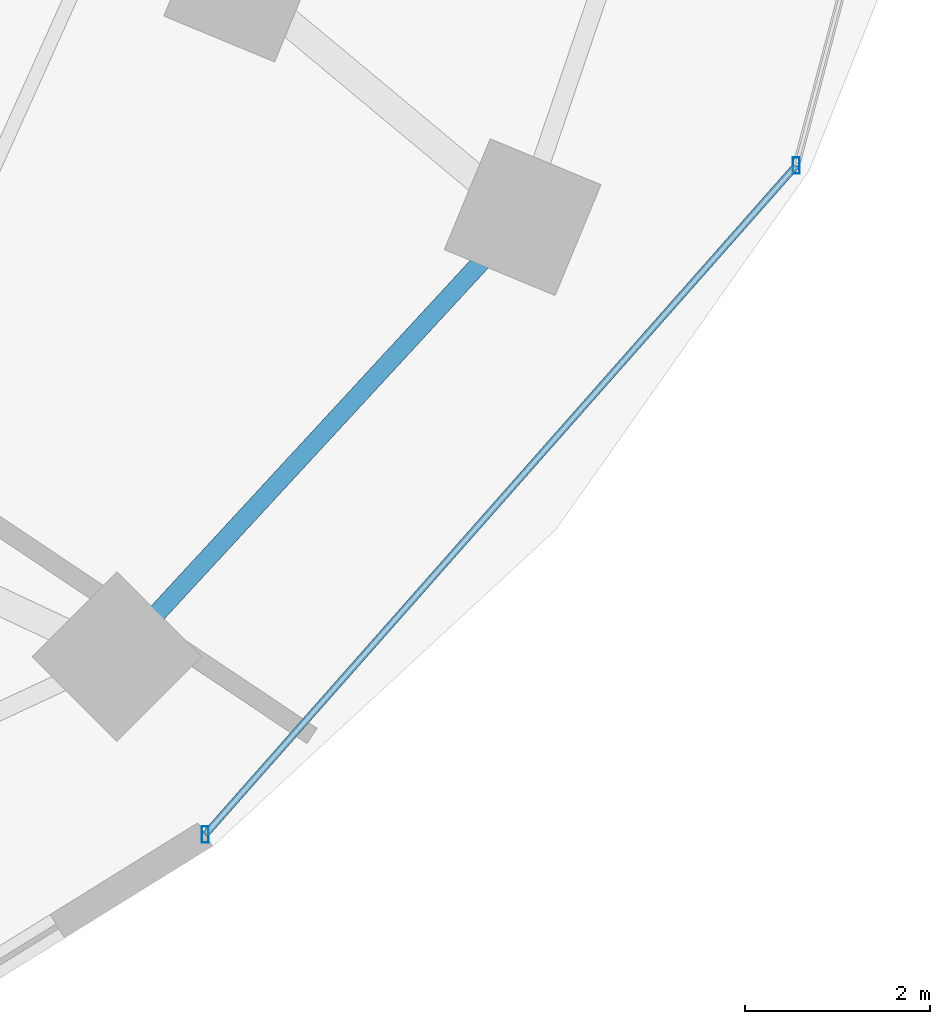
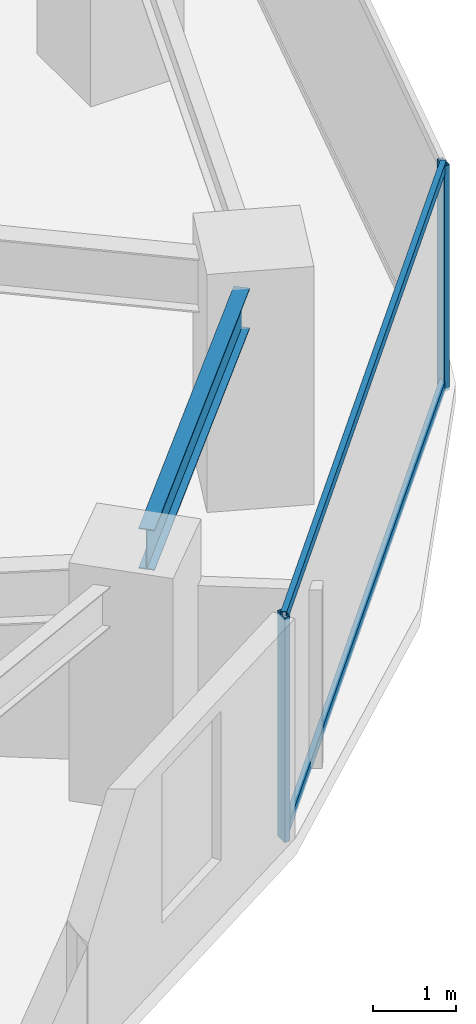
# One storey, part 13 of 33: 4 members, 1 beam, 1 element without a shape of its own.
"""IFC4 building model written with IfcOpenShell, lengths in metres."""

import ifcopenshell
import ifcopenshell.guid

model = None  # the IFC model being written
_history = None  # IfcOwnerHistory: only IFC2X3 demands one
_inside = {}  # id of a spatial element -> (the spatial element, [elements in it])
_under = {}  # id of a project, library or spatial element -> (it, [spatial elements below it])
_declared = {}  # id of a project -> (the project, [libraries it declares])
_typed = {}  # id of a type object -> (the type object, [elements of that type])
_made_of = {}  # id of a material, layer set ... -> (it, [elements and type objects made of it])


def new_model(schema):
    """Start an empty IFC model of exactly this schema.

    Asked for "IFC4X3", IfcOpenShell would pick the latest addendum, in which some entities
    have other attributes; the version numbers below select the first issue.
    IFC2X3 requires an IfcOwnerHistory on every rooted entity: one is made here for all.
    """
    global model, _history
    if schema == "IFC4X3":
        model = ifcopenshell.file(schema_version=(4, 3, 0, 0))
    else:
        model = ifcopenshell.file(schema=schema)
    _inside.clear()
    _under.clear()
    _declared.clear()
    _typed.clear()
    _made_of.clear()
    _history = None
    if model.schema == "IFC2X3":
        org = make("IfcOrganization", Name="unknown")
        user = make(
            "IfcPersonAndOrganization",
            ThePerson=make("IfcPerson", FamilyName="unknown"),
            TheOrganization=org,
        )
        app = make(
            "IfcApplication",
            ApplicationDeveloper=org,
            Version="unknown",
            ApplicationFullName="unknown",
            ApplicationIdentifier="unknown",
        )
        _history = make(
            "IfcOwnerHistory",
            OwningUser=user,
            OwningApplication=app,
            ChangeAction="ADDED",
            CreationDate=0,
        )
    return model


def make(cls, **values):
    """One entity of the class cls with the attributes given. An attribute that is None is left unset."""
    return model.create_entity(
        cls, **{name: value for name, value in values.items() if value is not None}
    )


def rooted(cls, **values):
    """An entity with a GlobalId (a new one), such as an element, a storey or a relation."""
    return make(cls, GlobalId=ifcopenshell.guid.new(), OwnerHistory=_history, **values)


def si_unit(unit_type, name, prefix=None):
    """IfcSIUnit, for example si_unit("LENGTHUNIT", "METRE", prefix="MILLI")."""
    return make("IfcSIUnit", UnitType=unit_type, Prefix=prefix, Name=name)


def assignment(units):
    """IfcUnitAssignment: the units of a project."""
    return None if units is None else make("IfcUnitAssignment", Units=units)


def point(xyz):
    """IfcCartesianPoint."""
    return None if xyz is None else make("IfcCartesianPoint", Coordinates=xyz)


def direction(xyz):
    """IfcDirection."""
    return None if xyz is None else make("IfcDirection", DirectionRatios=xyz)


def frame(location, z_axis=None, x_axis=None):
    """IfcAxis2Placement3D, a coordinate frame: its origin and axes. An axis left out is left unset."""
    return make(
        "IfcAxis2Placement3D",
        Location=point(location),
        Axis=direction(z_axis),
        RefDirection=direction(x_axis),
    )


def frame_2d(location, x_axis=None):
    """IfcAxis2Placement2D, a coordinate frame in the plane: its origin and x axis."""
    return make(
        "IfcAxis2Placement2D", Location=point(location), RefDirection=direction(x_axis)
    )


def origin():
    """The frame at (0, 0, 0) with its axes left unset."""
    return frame((0.0, 0.0, 0.0))


def origin_2d():
    """The frame at (0, 0) in the plane with its x axis left unset."""
    return frame_2d((0.0, 0.0))


def place(relative_to, where):
    """IfcLocalPlacement: puts the frame where relative to a parent placement (None: the world)."""
    return make(
        "IfcLocalPlacement", PlacementRelTo=relative_to, RelativePlacement=where
    )


def context(
    kind, dimensions, precision=None, world=None, true_north=None, identifier=None
):
    """IfcGeometricRepresentationContext, for example the 3D "Model" context."""
    return make(
        "IfcGeometricRepresentationContext",
        ContextIdentifier=identifier,
        ContextType=kind,
        CoordinateSpaceDimension=dimensions,
        Precision=precision,
        WorldCoordinateSystem=world,
        TrueNorth=true_north,
    )


def subcontext(parent, identifier, kind, view, scale=None):
    """IfcGeometricRepresentationSubContext, for example "Body" below "Model"."""
    return make(
        "IfcGeometricRepresentationSubContext",
        ContextIdentifier=identifier,
        ContextType=kind,
        ParentContext=parent,
        TargetScale=scale,
        TargetView=view,
    )


def project(units=None, contexts=None):
    """IfcProject with its units and contexts."""
    return rooted(
        "IfcProject",
        Name="project",
        RepresentationContexts=contexts,
        UnitsInContext=assignment(units),
    )


def spatial(cls, under=None, at=None, **own):
    """A site, building, storey or space (cls), placed at a placement, below another one or the project."""
    s = rooted(cls, ObjectPlacement=at, **own)
    if under is not None:
        _under.setdefault(under.id(), (under, []))[1].append(s)
    return s


def profile(cls, at=None, kind="AREA", **sizes):
    """A parametric profile (cls). Its sizes go by their IFC names, for example OverallWidth=200.0."""
    return make(cls, ProfileType=kind, Position=at, **sizes)


def hollow_rectangle(**sizes):
    """IfcRectangleHollowProfileDef."""
    return profile("IfcRectangleHollowProfileDef", **sizes)


def i_section(**sizes):
    """IfcIShapeProfileDef."""
    return profile("IfcIShapeProfileDef", **sizes)


def extrude(swept, where, along, depth):
    """IfcExtrudedAreaSolid: the profile swept, set in the frame where, extruded along a direction by depth."""
    return make(
        "IfcExtrudedAreaSolid",
        SweptArea=swept,
        Position=where,
        ExtrudedDirection=direction(along),
        Depth=depth,
    )


def shape(context_of_items, identifier, shape_type, items):
    """IfcShapeRepresentation: the items that make up one representation, for example the "Body"."""
    return make(
        "IfcShapeRepresentation",
        ContextOfItems=context_of_items,
        RepresentationIdentifier=identifier,
        RepresentationType=shape_type,
        Items=items,
    )


def material(Name=None, Category=None):
    """IfcMaterial."""
    return make("IfcMaterial", Name=Name, Category=Category)


def material_profile(
    of_material, cross_section, Name=None, Category=None, Priority=None
):
    """IfcMaterialProfile: a cross section and its material."""
    return make(
        "IfcMaterialProfile",
        Name=Name,
        Material=of_material,
        Profile=cross_section,
        Priority=Priority,
        Category=Category,
    )


def profile_set(profiles, Name=None, composite=None):
    """IfcMaterialProfileSet."""
    return make(
        "IfcMaterialProfileSet",
        Name=Name,
        MaterialProfiles=profiles,
        CompositeProfile=composite,
    )


def made_of(thing, what):
    """Note that an element or type object is made of a material, layer set ...; save() writes the relation."""
    if what is not None:
        _made_of.setdefault(what.id(), (what, []))[1].append(thing)
    return thing


def type_object(cls, material=None, **own):
    """A type object (cls), such as IfcWallType, which elements share."""
    return made_of(rooted(cls, **own), material)


def element(
    cls,
    number,
    at=None,
    inside=None,
    cuts=None,
    type_object=None,
    material=None,
    context=None,
    identifier="Body",
    shape_type=None,
    held_by="IfcProductDefinitionShape",
    body=None,
    shapes=None,
    **own,
):
    """One element of the class cls, such as IfcWall. Its Tag is "e" and its number.

    at: its placement. inside: the storey or other place that contains it. cuts: it is an
    opening in that element (IfcRelVoidsElement). A single representation is given by context,
    identifier, shape_type and body (its items); several are given by shapes. held_by: the class
    of the entity that holds the representations. save() writes the other relations.
    """
    e = rooted(cls, Tag="e%d" % number, ObjectPlacement=at, **own)
    if body is not None:
        shapes = [shape(context, identifier, shape_type, body)]
    if shapes is not None:
        e.Representation = make(held_by, Representations=shapes)
    if inside is not None:
        _inside.setdefault(inside.id(), (inside, []))[1].append(e)
    if cuts is not None:
        rooted(
            "IfcRelVoidsElement", RelatingBuildingElement=cuts, RelatedOpeningElement=e
        )
    if type_object is not None:
        _typed.setdefault(type_object.id(), (type_object, []))[1].append(e)
    return made_of(e, material)


def aggregate(whole, parts):
    """IfcRelAggregates: a whole, such as a stair, and the parts it consists of."""
    return rooted("IfcRelAggregates", RelatingObject=whole, RelatedObjects=parts)


def save(model, path):
    """Write the relations noted so far, then the file.

    IfcRelAggregates (storeys below a building ...), IfcRelContainedInSpatialStructure (elements
    in a storey), IfcRelDefinesByType, IfcRelAssociatesMaterial and IfcRelDeclares: one each for
    every whole, place, type object, material and project.
    """
    for whole, parts in _under.values():
        aggregate(whole, parts)
    for where, things in _inside.values():
        rooted(
            "IfcRelContainedInSpatialStructure",
            RelatedElements=things,
            RelatingStructure=where,
        )
    for kind, things in _typed.values():
        rooted("IfcRelDefinesByType", RelatedObjects=things, RelatingType=kind)
    for what, things in _made_of.values():
        rooted("IfcRelAssociatesMaterial", RelatedObjects=things, RelatingMaterial=what)
    for by, libraries in _declared.values():
        rooted("IfcRelDeclares", RelatingContext=by, RelatedDefinitions=libraries)
    model.write(path)


model = new_model("IFC4")

# Units and contexts
model_context = context("Model", 3, precision=1e-05, world=origin(), true_north=direction((0.0, 1.0)))
body_context = subcontext(model_context, "Body", "Model", "MODEL_VIEW")
ifc_project = project(units=[si_unit("LENGTHUNIT", "METRE"), si_unit("AREAUNIT", "SQUARE_METRE"), si_unit("VOLUMEUNIT", "CUBIC_METRE"), si_unit("PLANEANGLEUNIT", "RADIAN"), si_unit("MASSUNIT", "GRAM", prefix="KILO")], contexts=[model_context])

# Site, building, storey
site_placement = place(None, origin())
site = spatial("IfcSite", under=ifc_project, at=site_placement, CompositionType="ELEMENT")
building_placement = place(site_placement, origin())
building = spatial("IfcBuilding", under=site, at=building_placement, Name="Vorneva Point Tower", CompositionType="ELEMENT")
storey_placement = place(building_placement, frame((0.0, 0.0, 34.5)))
storey = spatial("IfcBuildingStorey", under=building, at=storey_placement, Name="L08", CompositionType="ELEMENT", Elevation=34.5)

# Beam
ifc_material_1 = material(Name="Steel S355", Category="steel")
ifc_material_profile_1 = material_profile(ifc_material_1, i_section(OverallWidth=0.198974609375, OverallDepth=0.595947265625, WebThickness=0.010009765625, FlangeThickness=0.014892578125, at=origin_2d()), Name="60B1")
ifc_profile_set_1 = profile_set([ifc_material_profile_1], Name="Steel S355")
beam_type = type_object("IfcBeamType", Name="BM-SPN-60B1", PredefinedType="SPANDREL", material=ifc_profile_set_1)
beam_placement = place(storey_placement, frame((58.369384765625, 12.5908203125, 2.94189453125), z_axis=(0.678317071649, 0.734769317752, 0.0), x_axis=(-0.734769317752, 0.678317071649, 0.0)))
element("IfcBeam", 1, at=beam_placement, inside=storey, type_object=beam_type, Name="L08 Perimeter Spandrel Ring Beam 15", PredefinedType="SPANDREL", context=body_context, shape_type="SweptSolid", body=[
    extrude(i_section(OverallWidth=0.198974609375, OverallDepth=0.595947265625, WebThickness=0.010009765625, FlangeThickness=0.014892578125, at=origin_2d()), origin(), (0.0, 0.0, 1.0), 5.211181640625),
])

# Curtain wall, members
ifc_material_2 = material(Name="Pale anodised aluminium", Category="aluminium")
curtain_wall_type = type_object("IfcCurtainWallType", Name="CW-HTL-SYS", PredefinedType="NOTDEFINED", material=ifc_material_2)
curtain_wall_placement = place(storey_placement, origin())
curtain_wall = element("IfcCurtainWall", 2, at=curtain_wall_placement, inside=storey, type_object=curtain_wall_type, Name="L08 Unitised Curtain Wall CW-L08-R01", PredefinedType="NOTDEFINED")
ifc_material_profile_2 = material_profile(ifc_material_2, hollow_rectangle(XDim=0.074951171875, YDim=0.179931640625, WallThickness=0.00390625, at=origin_2d()), Name="AL-MUL 180x75x4")
ifc_profile_set_2 = profile_set([ifc_material_profile_2], Name="Pale anodised aluminium")
member_type_1 = type_object("IfcMemberType", Name="CW-MUL-180", PredefinedType="MULLION", material=ifc_profile_set_2)
member_1_placement = place(storey_placement, frame((58.89501953125, 10.1962890625, -0.0400390625), z_axis=(0.0, 0.0, 1.0), x_axis=(1.0, 0.0, 0.0)))
member_1 = element("IfcMember", 3, at=member_1_placement, type_object=member_type_1, Name="CW-L08-R01 Mullion 01", PredefinedType="MULLION", context=body_context, shape_type="SweptSolid", body=[
    extrude(hollow_rectangle(XDim=0.074951171875, YDim=0.179931640625, WallThickness=0.00390625, at=origin_2d()), origin(), (0.0, 0.0, 1.0), 3.31005859375),
])
member_2_placement = place(storey_placement, frame((65.300537109375, 17.447021484375, -0.0400390625), z_axis=(0.0, 0.0, 1.0), x_axis=(1.0, 0.0, 0.0)))
member_2 = element("IfcMember", 4, at=member_2_placement, type_object=member_type_1, Name="CW-L08-R01 Mullion 02", PredefinedType="MULLION", context=body_context, shape_type="SweptSolid", body=[
    extrude(hollow_rectangle(XDim=0.074951171875, YDim=0.179931640625, WallThickness=0.00390625, at=origin_2d()), origin(), (0.0, 0.0, 1.0), 3.31005859375),
])
ifc_material_profile_3 = material_profile(ifc_material_2, hollow_rectangle(XDim=0.074951171875, YDim=0.14990234375, WallThickness=0.00390625, at=origin_2d()), Name="AL-TRN 150x75x4")
ifc_profile_set_3 = profile_set([ifc_material_profile_3], Name="Pale anodised aluminium")
member_type_2 = type_object("IfcMemberType", Name="CW-TRN-150", PredefinedType="USERDEFINED", material=ifc_profile_set_3)
member_3_placement = place(storey_placement, frame((58.89501953125, 10.1962890625, 0.02001953125), z_axis=(0.662075539029, 0.749437109182, 0.0), x_axis=(-0.749437109182, 0.662075539029, 0.0)))
member_3 = element("IfcMember", 5, at=member_3_placement, type_object=member_type_2, Name="CW-L08-R01 Transom 01.1", ObjectType="TRANSOM", PredefinedType="USERDEFINED", context=body_context, shape_type="SweptSolid", body=[
    extrude(hollow_rectangle(XDim=0.074951171875, YDim=0.14990234375, WallThickness=0.00390625, at=origin_2d()), origin(), (0.0, 0.0, 1.0), 9.6748046875),
])
member_4_placement = place(storey_placement, frame((58.89501953125, 10.1962890625, 3.219970703125), z_axis=(0.662075539029, 0.749437109182, 0.0), x_axis=(-0.749437109182, 0.662075539029, 0.0)))
member_4 = element("IfcMember", 6, at=member_4_placement, type_object=member_type_2, Name="CW-L08-R01 Transom 01.2", ObjectType="TRANSOM", PredefinedType="USERDEFINED", context=body_context, shape_type="SweptSolid", body=[
    extrude(hollow_rectangle(XDim=0.074951171875, YDim=0.14990234375, WallThickness=0.00390625, at=origin_2d()), origin(), (0.0, 0.0, 1.0), 9.6748046875),
])
aggregate(curtain_wall, [member_1, member_2, member_3, member_4])

save(model, "model.ifc")
